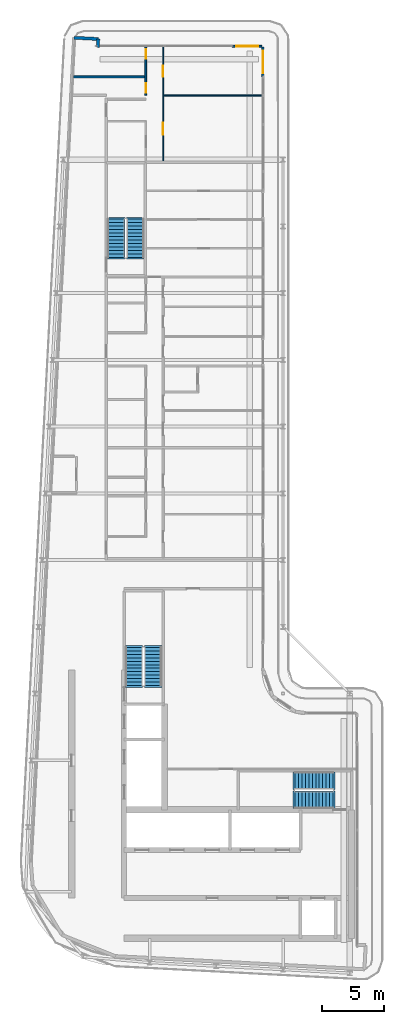
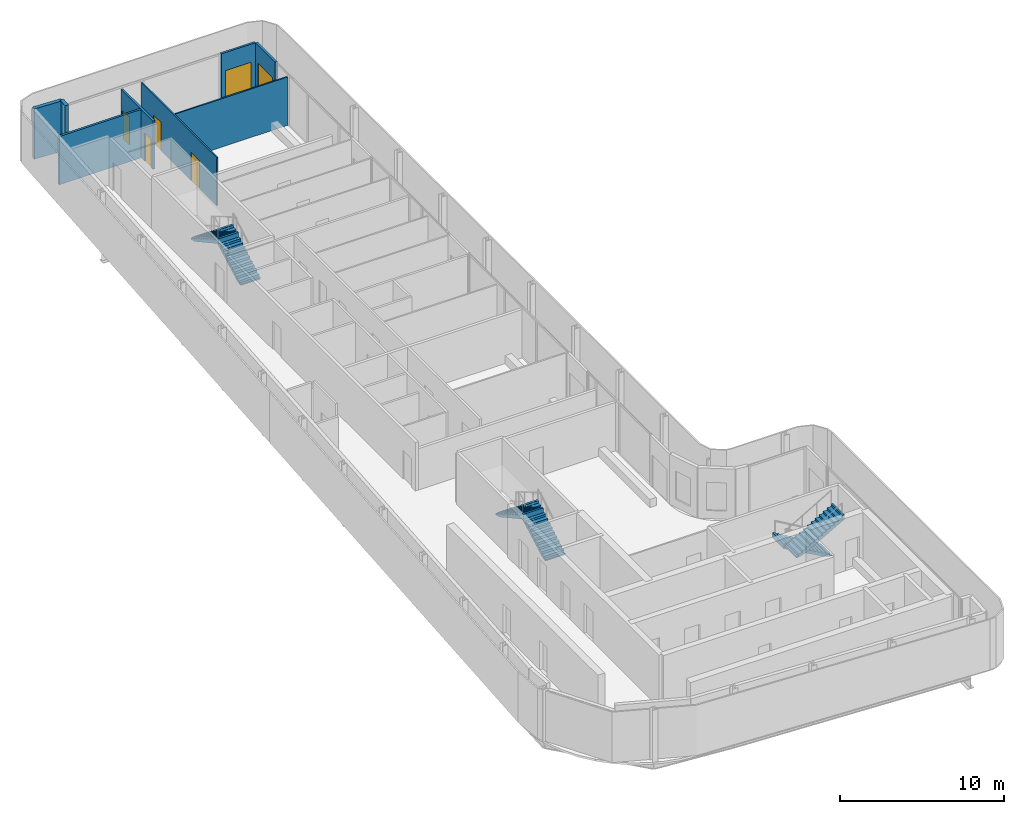
# One storey, part 12 of 18: 8 walls, 6 doors, 6 stair flights, 6 openings, 3 elements without a shape of their own.
"""IFC4 building model written with IfcOpenShell, lengths in metres."""

from ifc_helpers import new_model, si_unit, direction, frame, frame_2d, origin, place, context, subcontext, project, spatial, polyline, rectangle, outline, extrude, source, transform, mapped, material, layer, layer_set, type_object, element, fill, aggregate, save


model = new_model("IFC4")

# Units and contexts
model_context = context("Model", 3, precision=1e-05, world=origin(), true_north=direction((0.0, 1.0)))
body_context = subcontext(model_context, "Body", "Model", "MODEL_VIEW")
ifc_project = project(units=[si_unit("LENGTHUNIT", "METRE"), si_unit("AREAUNIT", "SQUARE_METRE"), si_unit("VOLUMEUNIT", "CUBIC_METRE"), si_unit("PLANEANGLEUNIT", "RADIAN"), si_unit("MASSUNIT", "GRAM", prefix="KILO")], contexts=[model_context])

# Site, building, storey
site_placement = place(None, origin())
site = spatial("IfcSite", under=ifc_project, at=site_placement, CompositionType="ELEMENT")
building_placement = place(site_placement, origin())
building = spatial("IfcBuilding", under=site, at=building_placement, Name="Kheshtan School and Residences Tower", CompositionType="ELEMENT")
storey_placement = place(building_placement, frame((0.0, 0.0, 361.699951171875)))
storey = spatial("IfcBuildingStorey", under=building, at=storey_placement, Name="L85", CompositionType="ELEMENT", Elevation=361.699951171875)

# Walls
ifc_material_1 = material(Name="Concrete C40/50 with ceramic cladding and mineral wool insulation", Category="concrete")
ifc_layer_1 = layer(ifc_material_1, 0.25)
ifc_layer_set_1 = layer_set([ifc_layer_1], Name="External wall 250 ceramic clad")
wall_type_1 = type_object("IfcWallType", Name="External wall 250 ceramic clad", PredefinedType="SOLIDWALL", material=ifc_layer_set_1)
wall_1_placement = place(storey_placement, frame((30.705078125, 98.6640625, 0.0), z_axis=(0.0, 0.0, 1.0), x_axis=(0.998577785791, -0.053314216913, 0.0)))
element("IfcWall", 1, at=wall_1_placement, inside=storey, type_object=wall_type_1, Name="External wall L85 5", PredefinedType="SOLIDWALL", context=body_context, shape_type="SweptSolid", body=[
    extrude(rectangle(XDim=1.95068359375, YDim=0.25, at=frame_2d((0.975341796875, 0.0))), origin(), (0.0, 0.0, 1.0), 3.75),
])
wall_2_placement = place(storey_placement, frame((32.653076171875, 98.56005859375, 0.0), z_axis=(0.0, 0.0, 1.0), x_axis=(-0.054093451632, -0.998535877418, 0.0)))
element("IfcWall", 2, at=wall_2_placement, inside=storey, type_object=wall_type_1, Name="External wall L85 6", PredefinedType="SOLIDWALL", context=body_context, shape_type="SweptSolid", body=[
    extrude(rectangle(XDim=0.66796875, YDim=0.25, at=frame_2d((0.333984375, 0.0))), origin(), (0.0, 0.0, 1.0), 3.75),
])

# Wall, opening, door
ifc_material_2 = material(Name="Aluminium frame wall with insulated infill", Category="aluminium")
ifc_layer_2 = layer(ifc_material_2, 0.14990234375)
ifc_layer_set_2 = layer_set([ifc_layer_2], Name="Glazing frame wall 150")
wall_type_2 = type_object("IfcWallType", Name="Glazing frame wall 150", PredefinedType="SOLIDWALL", material=ifc_layer_set_2)
wall_3_placement = place(storey_placement, frame((43.5, 97.97509765625, 0.0), z_axis=(0.0, 0.0, 1.0), x_axis=(1.0, 0.0, 0.0)))
wall_3 = element("IfcWall", 3, at=wall_3_placement, inside=storey, type_object=wall_type_2, Name="Balcony door wall L85 7.1", PredefinedType="SOLIDWALL", context=body_context, shape_type="SweptSolid", body=[
    extrude(rectangle(XDim=2.39990234375, YDim=0.14990234375, at=frame_2d((1.199951171875, 0.0))), origin(), (0.0, 0.0, 1.0), 3.75),
])
opening_1_placement = place(wall_3_placement, frame((0.300048828125, 0.0, 0.0)))
opening_1 = element("IfcOpeningElement", 4, at=opening_1_placement, cuts=wall_3, Name="Opening BD", PredefinedType="OPENING", context=body_context, shape_type="SweptSolid", body=[
    extrude(rectangle(XDim=1.800048828125, YDim=2.39990234375, at=frame_2d((0.89990234375, 1.199951171875))), frame((0.0, 0.0849609375, 0.0), z_axis=(0.0, -1.0, 0.0), x_axis=(1.0, 0.0, 0.0)), (0.0, 0.0, 1.0), 0.169921875),
])
ifc_material_3 = material(Name="Clear low-e glass in thermally broken aluminium frame", Category="aluminium")
door_type_1 = type_object("IfcDoorType", Name="Balcony sliding door", OperationType="SLIDING_TO_LEFT", PredefinedType="DOOR", material=ifc_material_3)
shared_shape_1 = source(origin(), body_context, "Body", "SweptSolid", [
    extrude(rectangle(XDim=1.800048828125, YDim=2.39990234375, at=frame_2d((0.89990234375, 1.199951171875))), frame((0.0, 0.02490234375, 0.0), z_axis=(0.0, -1.0, 0.0), x_axis=(1.0, 0.0, 0.0)), (0.0, 0.0, 1.0), 0.050048828125),
])
door_1_placement = place(opening_1_placement, origin())
door_1 = element("IfcDoor", 5, at=door_1_placement, inside=storey, type_object=door_type_1, Name="Balcony door L85 7.1", OperationType="SLIDING_TO_LEFT", OverallHeight=2.39990234375, OverallWidth=1.800048828125, PredefinedType="DOOR", context=body_context, shape_type="MappedRepresentation", body=[
    mapped(shared_shape_1, transform((0.0, 0.0, 0.0), x_axis=(1.0, 0.0, 0.0), y_axis=(0.0, 1.0, 0.0), z_axis=(0.0, 0.0, 1.0), scale=1.0)),
])
fill(opening_1, door_1)

wall_4_placement = place(storey_placement, frame((45.97509765625, 97.89990234375, 0.0), z_axis=(0.0, 0.0, 1.0), x_axis=(0.0, -1.0, 0.0)))
wall_4 = element("IfcWall", 6, at=wall_4_placement, inside=storey, type_object=wall_type_2, Name="Balcony door wall L85 8.1", PredefinedType="SOLIDWALL", context=body_context, shape_type="SweptSolid", body=[
    extrude(rectangle(XDim=2.39990234375, YDim=0.14990234375, at=frame_2d((1.199951171875, 0.0))), origin(), (0.0, 0.0, 1.0), 3.75),
])
opening_2_placement = place(wall_4_placement, frame((0.300048828125, 0.0, 0.0)))
opening_2 = element("IfcOpeningElement", 7, at=opening_2_placement, cuts=wall_4, Name="Opening BD", PredefinedType="OPENING", context=body_context, shape_type="SweptSolid", body=[
    extrude(rectangle(XDim=1.800048828125, YDim=2.39990234375, at=frame_2d((0.89990234375, 1.199951171875))), frame((0.0, 0.0849609375, 0.0), z_axis=(0.0, -1.0, 0.0), x_axis=(1.0, 0.0, 0.0)), (0.0, 0.0, 1.0), 0.169921875),
])
door_2_placement = place(opening_2_placement, origin())
door_2 = element("IfcDoor", 8, at=door_2_placement, inside=storey, type_object=door_type_1, Name="Balcony door L85 8.1", OperationType="SLIDING_TO_LEFT", OverallHeight=2.39990234375, OverallWidth=1.800048828125, PredefinedType="DOOR", context=body_context, shape_type="MappedRepresentation", body=[
    mapped(shared_shape_1, transform((0.0, 0.0, 0.0), x_axis=(1.0, 0.0, 0.0), y_axis=(0.0, 1.0, 0.0), z_axis=(0.0, 0.0, 1.0), scale=1.0)),
])
fill(opening_2, door_2)

# Wall, openings, doors
ifc_material_4 = material(Name="Gypsum board on steel studs", Category="steel")
ifc_layer_3 = layer(ifc_material_4, 0.10009765625)
ifc_layer_set_3 = layer_set([ifc_layer_3], Name="Gypsum partition 100")
wall_type_3 = type_object("IfcWallType", Name="Gypsum partition 100", PredefinedType="PARTITIONING", material=ifc_layer_set_3)
wall_5_placement = place(storey_placement, frame((37.89990234375, 88.699951171875, 0.0), z_axis=(0.0, 0.0, 1.0), x_axis=(0.0, 1.0, 0.0)))
wall_5 = element("IfcWall", 9, at=wall_5_placement, inside=storey, type_object=wall_type_3, Name="Partition L85-029", PredefinedType="PARTITIONING", context=body_context, shape_type="SweptSolid", body=[
    extrude(rectangle(XDim=9.199951171875, YDim=0.10009765625, at=frame_2d((4.60009765625, 0.0))), origin(), (0.0, 0.0, 1.0), 3.60009765625),
])
opening_3_placement = place(wall_5_placement, frame((6.800048828125, 0.0, 0.0)))
opening_3 = element("IfcOpeningElement", 10, at=opening_3_placement, cuts=wall_5, Name="Opening D85-023", PredefinedType="OPENING", context=body_context, shape_type="SweptSolid", body=[
    extrude(rectangle(XDim=0.89990234375, YDim=2.10009765625, at=frame_2d((0.449951171875, 1.050048828125))), frame((0.0, 0.06005859375, 0.0), z_axis=(0.0, -1.0, 0.0), x_axis=(1.0, 0.0, 0.0)), (0.0, 0.0, 1.0), 0.1201171875),
])
opening_4_placement = place(wall_5_placement, frame((2.10009765625, 0.0, 0.0)))
opening_4 = element("IfcOpeningElement", 11, at=opening_4_placement, cuts=wall_5, Name="Opening D85-026", PredefinedType="OPENING", context=body_context, shape_type="SweptSolid", body=[
    extrude(rectangle(XDim=1.0, YDim=2.10009765625, at=frame_2d((0.5, 1.050048828125))), frame((0.0, 0.06005859375, 0.0), z_axis=(0.0, -1.0, 0.0), x_axis=(1.0, 0.0, 0.0)), (0.0, 0.0, 1.0), 0.1201171875),
])
ifc_material_5 = material(Name="Veneered timber door leaf", Category="wood")
door_type_2 = type_object("IfcDoorType", Name="Door 1000 x 2100", OperationType="SINGLE_SWING_LEFT", PredefinedType="DOOR", material=ifc_material_5)
shared_shape_2 = source(origin(), body_context, "Body", "SweptSolid", [
    extrude(rectangle(XDim=1.0, YDim=2.10009765625, at=frame_2d((0.5, 1.050048828125))), frame((0.0, 0.02490234375, 0.0), z_axis=(0.0, -1.0, 0.0), x_axis=(1.0, 0.0, 0.0)), (0.0, 0.0, 1.0), 0.050048828125),
])
door_3_placement = place(opening_4_placement, origin())
door_3 = element("IfcDoor", 12, at=door_3_placement, inside=storey, type_object=door_type_2, Name="Door D85-026", OperationType="SINGLE_SWING_LEFT", OverallHeight=2.10009765625, OverallWidth=1.0, PredefinedType="DOOR", context=body_context, shape_type="MappedRepresentation", body=[
    mapped(shared_shape_2, transform((0.0, 0.0, 0.0), x_axis=(1.0, 0.0, 0.0), y_axis=(0.0, 1.0, 0.0), z_axis=(0.0, 0.0, 1.0), scale=1.0)),
])
fill(opening_4, door_3)
door_type_3 = type_object("IfcDoorType", Name="Door 900 x 2100", OperationType="SINGLE_SWING_LEFT", PredefinedType="DOOR", material=ifc_material_5)
shared_shape_3 = source(origin(), body_context, "Body", "SweptSolid", [
    extrude(rectangle(XDim=0.89990234375, YDim=2.10009765625, at=frame_2d((0.449951171875, 1.050048828125))), frame((0.0, 0.02490234375, 0.0), z_axis=(0.0, -1.0, 0.0), x_axis=(1.0, 0.0, 0.0)), (0.0, 0.0, 1.0), 0.050048828125),
])
door_4_placement = place(opening_3_placement, origin())
door_4 = element("IfcDoor", 13, at=door_4_placement, inside=storey, type_object=door_type_3, Name="Door D85-023", OperationType="SINGLE_SWING_RIGHT", OverallHeight=2.10009765625, OverallWidth=0.89990234375, PredefinedType="DOOR", context=body_context, shape_type="MappedRepresentation", body=[
    mapped(shared_shape_3, transform((0.0, 0.0, 0.0), x_axis=(1.0, 0.0, 0.0), y_axis=(0.0, 1.0, 0.0), z_axis=(0.0, 0.0, 1.0), scale=1.0)),
])
fill(opening_3, door_4)

# Walls
wall_6_placement = place(storey_placement, frame((37.949951171875, 94.0, 0.0), z_axis=(0.0, 0.0, 1.0), x_axis=(1.0, 0.0, 0.0)))
element("IfcWall", 14, at=wall_6_placement, inside=storey, type_object=wall_type_3, Name="Partition L85-030", PredefinedType="PARTITIONING", context=body_context, shape_type="SweptSolid", body=[
    extrude(rectangle(XDim=7.949951171875, YDim=0.10009765625, at=frame_2d((3.97509765625, 0.0))), origin(), (0.0, 0.0, 1.0), 3.60009765625),
])
ifc_material_6 = material(Name="Moisture-resistant gypsum board on steel studs", Category="steel")
ifc_layer_4 = layer(ifc_material_6, 0.14990234375)
ifc_layer_set_4 = layer_set([ifc_layer_4], Name="Wet-room partition 150")
wall_type_4 = type_object("IfcWallType", Name="Wet-room partition 150", PredefinedType="PARTITIONING", material=ifc_layer_set_4)
wall_7_placement = place(storey_placement, frame((30.6640625, 95.5, 0.0), z_axis=(0.0, 0.0, 1.0), x_axis=(1.0, 0.0, 0.0)))
element("IfcWall", 15, at=wall_7_placement, inside=storey, type_object=wall_type_4, Name="Partition L85-001", PredefinedType="PARTITIONING", context=body_context, shape_type="SweptSolid", body=[
    extrude(rectangle(XDim=5.760986328125, YDim=0.14990234375, at=frame_2d((2.88037109375, 0.0))), origin(), (0.0, 0.0, 1.0), 3.60009765625),
])

# Wall, openings, doors
wall_8_placement = place(storey_placement, frame((36.5, 94.0, 0.0), z_axis=(0.0, 0.0, 1.0), x_axis=(0.0, 1.0, 0.0)))
wall_8 = element("IfcWall", 16, at=wall_8_placement, inside=storey, type_object=wall_type_4, Name="Partition L85-023", PredefinedType="PARTITIONING", context=body_context, shape_type="SweptSolid", body=[
    extrude(rectangle(XDim=3.89990234375, YDim=0.14990234375, at=frame_2d((1.949951171875, 0.0))), origin(), (0.0, 0.0, 1.0), 3.60009765625),
])
opening_5_placement = place(wall_8_placement, frame((2.949951171875, 0.0, 0.0)))
opening_5 = element("IfcOpeningElement", 17, at=opening_5_placement, cuts=wall_8, Name="Opening D85-022", PredefinedType="OPENING", context=body_context, shape_type="SweptSolid", body=[
    extrude(rectangle(XDim=0.800048828125, YDim=2.10009765625, at=frame_2d((0.39990234375, 1.050048828125))), frame((0.0, 0.0849609375, 0.0), z_axis=(0.0, -1.0, 0.0), x_axis=(1.0, 0.0, 0.0)), (0.0, 0.0, 1.0), 0.169921875),
])
opening_6_placement = place(wall_8_placement, frame((0.199951171875, 0.0, 0.0)))
opening_6 = element("IfcOpeningElement", 18, at=opening_6_placement, cuts=wall_8, Name="Opening D85-027", PredefinedType="OPENING", context=body_context, shape_type="SweptSolid", body=[
    extrude(rectangle(XDim=0.800048828125, YDim=2.10009765625, at=frame_2d((0.39990234375, 1.050048828125))), frame((0.0, 0.0849609375, 0.0), z_axis=(0.0, -1.0, 0.0), x_axis=(1.0, 0.0, 0.0)), (0.0, 0.0, 1.0), 0.169921875),
])
door_type_4 = type_object("IfcDoorType", Name="Door 800 x 2100", OperationType="SINGLE_SWING_LEFT", PredefinedType="DOOR", material=ifc_material_5)
shared_shape_4 = source(origin(), body_context, "Body", "SweptSolid", [
    extrude(rectangle(XDim=0.800048828125, YDim=2.10009765625, at=frame_2d((0.39990234375, 1.050048828125))), frame((0.0, 0.02490234375, 0.0), z_axis=(0.0, -1.0, 0.0), x_axis=(1.0, 0.0, 0.0)), (0.0, 0.0, 1.0), 0.050048828125),
])
door_5_placement = place(opening_5_placement, origin())
door_5 = element("IfcDoor", 19, at=door_5_placement, inside=storey, type_object=door_type_4, Name="Door D85-022", OperationType="SINGLE_SWING_LEFT", OverallHeight=2.10009765625, OverallWidth=0.800048828125, PredefinedType="DOOR", context=body_context, shape_type="MappedRepresentation", body=[
    mapped(shared_shape_4, transform((0.0, 0.0, 0.0), x_axis=(1.0, 0.0, 0.0), y_axis=(0.0, 1.0, 0.0), z_axis=(0.0, 0.0, 1.0), scale=1.0)),
])
fill(opening_5, door_5)
door_6_placement = place(opening_6_placement, origin())
door_6 = element("IfcDoor", 20, at=door_6_placement, inside=storey, type_object=door_type_4, Name="Door D85-027", OperationType="SINGLE_SWING_RIGHT", OverallHeight=2.10009765625, OverallWidth=0.800048828125, PredefinedType="DOOR", context=body_context, shape_type="MappedRepresentation", body=[
    mapped(shared_shape_4, transform((0.0, 0.0, 0.0), x_axis=(1.0, 0.0, 0.0), y_axis=(0.0, 1.0, 0.0), z_axis=(0.0, 0.0, 1.0), scale=1.0)),
])
fill(opening_6, door_6)

# Stair, stair flights
ifc_material_7 = material(Name="Concrete C40/50", Category="concrete")
stair_type = type_object("IfcStairType", Name="Exit stair, half-turn", PredefinedType="HALF_TURN_STAIR", material=ifc_material_7)
stair_1_placement = place(storey_placement, origin())
stair_1 = element("IfcStair", 21, at=stair_1_placement, inside=storey, type_object=stair_type, Name="L85 Protected Exit Stair ST1", PredefinedType="HALF_TURN_STAIR")
ifc_layer_5 = layer(ifc_material_7, 0.14990234375)
ifc_layer_set_5 = layer_set([ifc_layer_5], Name="Stair flight 1400 Concrete C40/50")
stair_flight_type = type_object("IfcStairFlightType", Name="Stair flight 1400 Concrete C40/50", PredefinedType="STRAIGHT", material=ifc_layer_set_5)
stair_flight_1_placement = place(storey_placement, frame((51.64990234375, 38.550048828125, 0.0), z_axis=(0.0, 0.0, 1.0), x_axis=(-1.0, 0.0, 0.0)))
stair_flight_1 = element("IfcStairFlight", 22, at=stair_flight_1_placement, type_object=stair_flight_type, Name="ST1 flight 1", NumberOfRisers=12, NumberOfTreads=11, PredefinedType="STRAIGHT", RiserHeight=0.1625, TreadLength=0.28, context=body_context, shape_type="SweptSolid", body=[
    extrude(outline(polyline([(-0.14990234375, -0.10009765625), (-0.14990234375, 0.0), (0.0, 0.0), (0.0, 0.16259765625), (0.280029296875, 0.16259765625), (0.280029296875, 0.324951171875), (0.56005859375, 0.324951171875), (0.56005859375, 0.487548828125), (0.840087890625, 0.487548828125), (0.840087890625, 0.64990234375), (1.1201171875, 0.64990234375), (1.1201171875, 0.8125), (1.39990234375, 0.8125), (1.39990234375, 0.97509765625), (1.679931640625, 0.97509765625), (1.679931640625, 1.137451171875), (1.9599609375, 1.137451171875), (1.9599609375, 1.300048828125), (2.239990234375, 1.300048828125), (2.239990234375, 1.46240234375), (2.52001953125, 1.46240234375), (2.52001953125, 1.625), (2.800048828125, 1.625), (2.800048828125, 1.78759765625), (3.080078125, 1.78759765625), (3.080078125, 1.949951171875), (3.080078125, 1.969970703125), (3.22998046875, 1.969970703125), (3.22998046875, 1.6142578125), (0.298583984375, 0.0), (-0.14990234375, -0.10009765625)])), frame((0.0, 0.699951171875, 0.0), z_axis=(0.0, -1.0, 0.0), x_axis=(1.0, 0.0, 0.0)), (0.0, 0.0, 1.0), 1.39990234375),
])
stair_flight_2_placement = place(storey_placement, frame((48.570068359375, 37.0, 1.949951171875), z_axis=(0.0, 0.0, 1.0), x_axis=(1.0, 0.0, 0.0)))
stair_flight_2 = element("IfcStairFlight", 23, at=stair_flight_2_placement, type_object=stair_flight_type, Name="ST1 flight 2", NumberOfRisers=12, NumberOfTreads=11, PredefinedType="STRAIGHT", RiserHeight=0.1625, TreadLength=0.28, context=body_context, shape_type="SweptSolid", body=[
    extrude(outline(polyline([(-0.14990234375, -0.10009765625), (-0.14990234375, 0.0), (0.0, 0.0), (0.0, 0.16259765625), (0.280029296875, 0.16259765625), (0.280029296875, 0.324951171875), (0.56005859375, 0.324951171875), (0.56005859375, 0.487548828125), (0.840087890625, 0.487548828125), (0.840087890625, 0.64990234375), (1.1201171875, 0.64990234375), (1.1201171875, 0.8125), (1.39990234375, 0.8125), (1.39990234375, 0.97509765625), (1.679931640625, 0.97509765625), (1.679931640625, 1.137451171875), (1.9599609375, 1.137451171875), (1.9599609375, 1.300048828125), (2.239990234375, 1.300048828125), (2.239990234375, 1.46240234375), (2.52001953125, 1.46240234375), (2.52001953125, 1.625), (2.800048828125, 1.625), (2.800048828125, 1.78759765625), (3.080078125, 1.78759765625), (3.080078125, 1.949951171875), (3.080078125, 1.969970703125), (3.22998046875, 1.969970703125), (3.22998046875, 1.6142578125), (0.298583984375, 0.0), (-0.14990234375, -0.10009765625)])), frame((0.0, 0.699951171875, 0.0), z_axis=(0.0, -1.0, 0.0), x_axis=(1.0, 0.0, 0.0)), (0.0, 0.0, 1.0), 1.39990234375),
])
aggregate(stair_1, [stair_flight_1, stair_flight_2])

stair_2_placement = place(storey_placement, origin())
stair_2 = element("IfcStair", 24, at=stair_2_placement, inside=storey, type_object=stair_type, Name="L85 Protected Exit Stair ST2", PredefinedType="HALF_TURN_STAIR")
stair_flight_3_placement = place(storey_placement, frame((37.10009765625, 46.25, 0.0), z_axis=(0.0, 0.0, 1.0), x_axis=(0.0, 1.0, 0.0)))
stair_flight_3 = element("IfcStairFlight", 25, at=stair_flight_3_placement, type_object=stair_flight_type, Name="ST2 flight 1", NumberOfRisers=12, NumberOfTreads=11, PredefinedType="STRAIGHT", RiserHeight=0.1625, TreadLength=0.28, context=body_context, shape_type="SweptSolid", body=[
    extrude(outline(polyline([(-0.14990234375, -0.10009765625), (-0.14990234375, 0.0), (0.0, 0.0), (0.0, 0.16259765625), (0.280029296875, 0.16259765625), (0.280029296875, 0.324951171875), (0.56005859375, 0.324951171875), (0.56005859375, 0.487548828125), (0.840087890625, 0.487548828125), (0.840087890625, 0.64990234375), (1.1201171875, 0.64990234375), (1.1201171875, 0.8125), (1.39990234375, 0.8125), (1.39990234375, 0.97509765625), (1.679931640625, 0.97509765625), (1.679931640625, 1.137451171875), (1.9599609375, 1.137451171875), (1.9599609375, 1.300048828125), (2.239990234375, 1.300048828125), (2.239990234375, 1.46240234375), (2.52001953125, 1.46240234375), (2.52001953125, 1.625), (2.800048828125, 1.625), (2.800048828125, 1.78759765625), (3.080078125, 1.78759765625), (3.080078125, 1.949951171875), (3.080078125, 1.969970703125), (3.22998046875, 1.969970703125), (3.22998046875, 1.6142578125), (0.298583984375, 0.0), (-0.14990234375, -0.10009765625)])), frame((0.0, 0.699951171875, 0.0), z_axis=(0.0, -1.0, 0.0), x_axis=(1.0, 0.0, 0.0)), (0.0, 0.0, 1.0), 1.39990234375),
])
stair_flight_4_placement = place(storey_placement, frame((35.550048828125, 49.330078125, 1.949951171875), z_axis=(0.0, 0.0, 1.0), x_axis=(0.0, -1.0, 0.0)))
stair_flight_4 = element("IfcStairFlight", 26, at=stair_flight_4_placement, type_object=stair_flight_type, Name="ST2 flight 2", NumberOfRisers=12, NumberOfTreads=11, PredefinedType="STRAIGHT", RiserHeight=0.1625, TreadLength=0.28, context=body_context, shape_type="SweptSolid", body=[
    extrude(outline(polyline([(-0.14990234375, -0.10009765625), (-0.14990234375, 0.0), (0.0, 0.0), (0.0, 0.16259765625), (0.280029296875, 0.16259765625), (0.280029296875, 0.324951171875), (0.56005859375, 0.324951171875), (0.56005859375, 0.487548828125), (0.840087890625, 0.487548828125), (0.840087890625, 0.64990234375), (1.1201171875, 0.64990234375), (1.1201171875, 0.8125), (1.39990234375, 0.8125), (1.39990234375, 0.97509765625), (1.679931640625, 0.97509765625), (1.679931640625, 1.137451171875), (1.9599609375, 1.137451171875), (1.9599609375, 1.300048828125), (2.239990234375, 1.300048828125), (2.239990234375, 1.46240234375), (2.52001953125, 1.46240234375), (2.52001953125, 1.625), (2.800048828125, 1.625), (2.800048828125, 1.78759765625), (3.080078125, 1.78759765625), (3.080078125, 1.949951171875), (3.080078125, 1.969970703125), (3.22998046875, 1.969970703125), (3.22998046875, 1.6142578125), (0.298583984375, 0.0), (-0.14990234375, -0.10009765625)])), frame((0.0, 0.699951171875, 0.0), z_axis=(0.0, -1.0, 0.0), x_axis=(1.0, 0.0, 0.0)), (0.0, 0.0, 1.0), 1.39990234375),
])
aggregate(stair_2, [stair_flight_3, stair_flight_4])

stair_3_placement = place(storey_placement, origin())
stair_3 = element("IfcStair", 27, at=stair_3_placement, inside=storey, type_object=stair_type, Name="L85 Protected Exit Stair ST3", PredefinedType="HALF_TURN_STAIR")
stair_flight_5_placement = place(storey_placement, frame((35.64990234375, 80.89990234375, 0.0), z_axis=(0.0, 0.0, 1.0), x_axis=(0.0, 1.0, 0.0)))
stair_flight_5 = element("IfcStairFlight", 28, at=stair_flight_5_placement, type_object=stair_flight_type, Name="ST3 flight 1", NumberOfRisers=12, NumberOfTreads=11, PredefinedType="STRAIGHT", RiserHeight=0.1625, TreadLength=0.28, context=body_context, shape_type="SweptSolid", body=[
    extrude(outline(polyline([(-0.14990234375, -0.10009765625), (-0.14990234375, 0.0), (0.0, 0.0), (0.0, 0.16259765625), (0.280029296875, 0.16259765625), (0.280029296875, 0.324951171875), (0.56005859375, 0.324951171875), (0.56005859375, 0.487548828125), (0.840087890625, 0.487548828125), (0.840087890625, 0.64990234375), (1.1201171875, 0.64990234375), (1.1201171875, 0.8125), (1.39990234375, 0.8125), (1.39990234375, 0.97509765625), (1.679931640625, 0.97509765625), (1.679931640625, 1.137451171875), (1.9599609375, 1.137451171875), (1.9599609375, 1.300048828125), (2.239990234375, 1.300048828125), (2.239990234375, 1.46240234375), (2.52001953125, 1.46240234375), (2.52001953125, 1.625), (2.800048828125, 1.625), (2.800048828125, 1.78759765625), (3.080078125, 1.78759765625), (3.080078125, 1.949951171875), (3.080078125, 1.969970703125), (3.22998046875, 1.969970703125), (3.22998046875, 1.6142578125), (0.298583984375, 0.0), (-0.14990234375, -0.10009765625)])), frame((0.0, 0.699951171875, 0.0), z_axis=(0.0, -1.0, 0.0), x_axis=(1.0, 0.0, 0.0)), (0.0, 0.0, 1.0), 1.39990234375),
])
stair_flight_6_placement = place(storey_placement, frame((34.10009765625, 83.97998046875, 1.949951171875), z_axis=(0.0, 0.0, 1.0), x_axis=(0.0, -1.0, 0.0)))
stair_flight_6 = element("IfcStairFlight", 29, at=stair_flight_6_placement, type_object=stair_flight_type, Name="ST3 flight 2", NumberOfRisers=12, NumberOfTreads=11, PredefinedType="STRAIGHT", RiserHeight=0.1625, TreadLength=0.28, context=body_context, shape_type="SweptSolid", body=[
    extrude(outline(polyline([(-0.14990234375, -0.10009765625), (-0.14990234375, 0.0), (0.0, 0.0), (0.0, 0.16259765625), (0.280029296875, 0.16259765625), (0.280029296875, 0.324951171875), (0.56005859375, 0.324951171875), (0.56005859375, 0.487548828125), (0.840087890625, 0.487548828125), (0.840087890625, 0.64990234375), (1.1201171875, 0.64990234375), (1.1201171875, 0.8125), (1.39990234375, 0.8125), (1.39990234375, 0.97509765625), (1.679931640625, 0.97509765625), (1.679931640625, 1.137451171875), (1.9599609375, 1.137451171875), (1.9599609375, 1.300048828125), (2.239990234375, 1.300048828125), (2.239990234375, 1.46240234375), (2.52001953125, 1.46240234375), (2.52001953125, 1.625), (2.800048828125, 1.625), (2.800048828125, 1.78759765625), (3.080078125, 1.78759765625), (3.080078125, 1.949951171875), (3.080078125, 1.969970703125), (3.22998046875, 1.969970703125), (3.22998046875, 1.6142578125), (0.298583984375, 0.0), (-0.14990234375, -0.10009765625)])), frame((0.0, 0.699951171875, 0.0), z_axis=(0.0, -1.0, 0.0), x_axis=(1.0, 0.0, 0.0)), (0.0, 0.0, 1.0), 1.39990234375),
])
aggregate(stair_3, [stair_flight_5, stair_flight_6])

save(model, "model.ifc")
